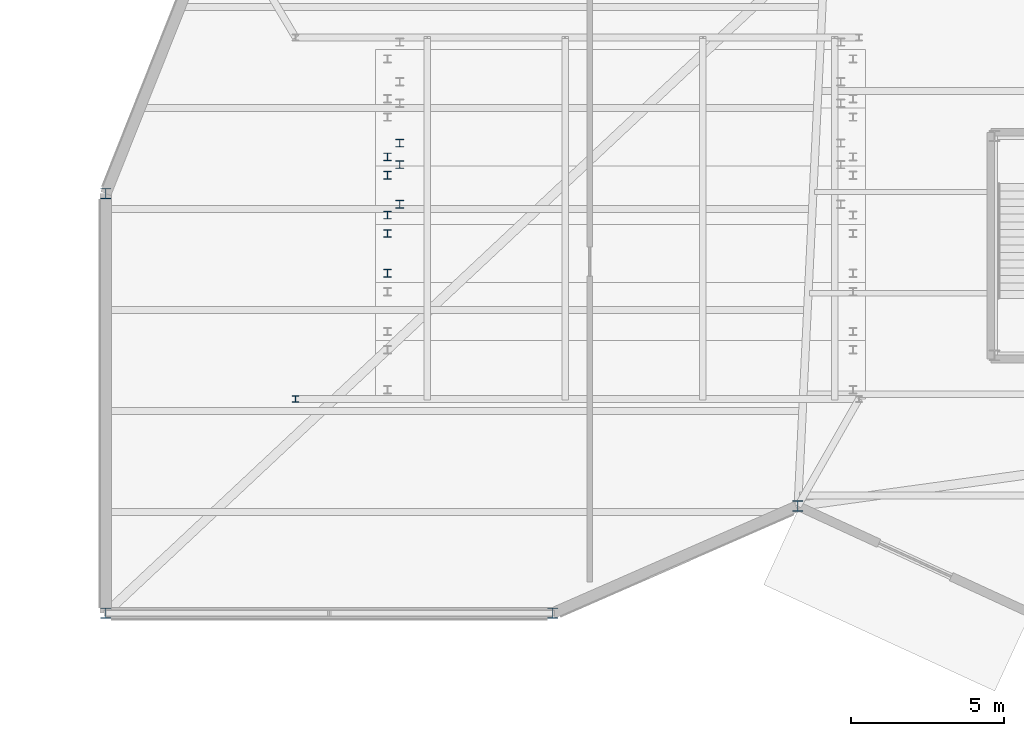
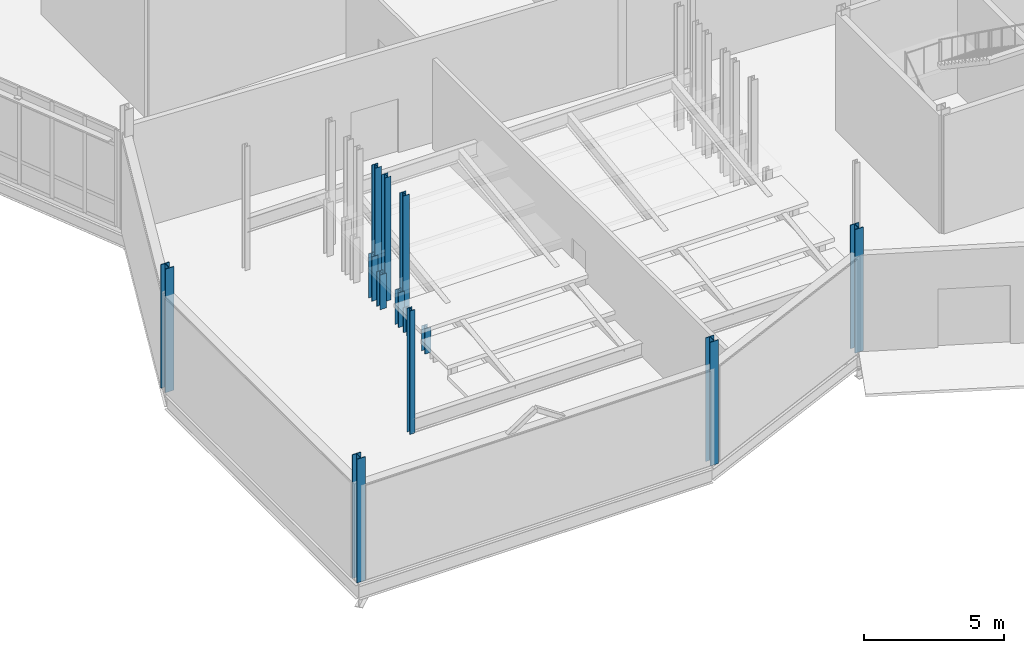
# One storey, part 1 of 113: 13 columns.
"""IFC4 building model written with IfcOpenShell, lengths in metres."""

from ifc_helpers import new_model, si_unit, direction, frame, origin, origin_2d, place, context, subcontext, project, spatial, i_section, extrude, material, material_profile, profile_set, type_object, element, save


model = new_model("IFC4")

# Units and contexts
model_context = context("Model", 3, precision=1e-05, world=origin(), true_north=direction((0.0, 1.0)))
body_context = subcontext(model_context, "Body", "Model", "MODEL_VIEW")
ifc_project = project(units=[si_unit("LENGTHUNIT", "METRE"), si_unit("AREAUNIT", "SQUARE_METRE"), si_unit("VOLUMEUNIT", "CUBIC_METRE"), si_unit("PLANEANGLEUNIT", "RADIAN"), si_unit("MASSUNIT", "GRAM", prefix="KILO")], contexts=[model_context])

# Site, building, storey
site_placement = place(None, origin())
site = spatial("IfcSite", under=ifc_project, at=site_placement, CompositionType="ELEMENT")
building_placement = place(site_placement, origin())
building = spatial("IfcBuilding", under=site, at=building_placement, Name="Tameran Prism Museum", CompositionType="ELEMENT")
storey_placement = place(building_placement, origin())
storey = spatial("IfcBuildingStorey", under=building, at=storey_placement, Name="L00", CompositionType="ELEMENT", Elevation=0.0)

# Columns
ifc_material_1 = material(Name="Steel Grade 300PLUS (300 MPa)", Category="steel")
ifc_material_profile_1 = material_profile(ifc_material_1, i_section(OverallWidth=0.205078125, OverallDepth=0.2099609375, WebThickness=0.00927734375, FlangeThickness=0.01416015625, FilletRadius=0.01025390625, at=origin_2d()))
ifc_profile_set_1 = profile_set([ifc_material_profile_1])
column_type_1 = type_object("IfcColumnType", Name="COL-UC200", PredefinedType="COLUMN", material=ifc_profile_set_1)
column_1_placement = place(storey_placement, frame((6.199951171875, 7.0, 0.0), z_axis=(0.0, 0.0, 1.0), x_axis=(1.0, 0.0, 0.0)))
element("IfcColumn", 1, at=column_1_placement, inside=storey, type_object=column_type_1, Name="Column CA-01 L00", PredefinedType="COLUMN", context=body_context, shape_type="SweptSolid", body=[
    extrude(i_section(OverallWidth=0.205078125, OverallDepth=0.2099609375, WebThickness=0.00927734375, FlangeThickness=0.01416015625, FilletRadius=0.01025390625, at=origin_2d()), origin(), (0.0, 0.0, 1.0), 5.39990234375),
])
ifc_material_2 = material(Name="Steel Grade 300PLUS (300 MPa)", Category="steel")
ifc_material_profile_2 = material_profile(ifc_material_2, i_section(OverallWidth=0.25390625, OverallDepth=0.25390625, WebThickness=0.008544921875, FlangeThickness=0.01416015625, FilletRadius=0.0126953125, at=origin_2d()))
ifc_profile_set_2 = profile_set([ifc_material_profile_2])
column_type_2 = type_object("IfcColumnType", Name="COL-UC250B", PredefinedType="COLUMN", material=ifc_profile_set_2)
for number, where, z_axis, x_axis, name in (
    (2, (9.199951171875, 11.10009765625, 0.0), (0.0, 0.0, 1.0), (1.0, 0.0, 0.0), "Auditorium Tier Riser Column CAT-L0-09"),
    (3, (9.199951171875, 12.39990234375, 0.0), (0.0, 0.0, 1.0), (1.0, 0.0, 0.0), "Auditorium Tier Riser Column CAT-L0-10"),
):
    element("IfcColumn", number, at=place(storey_placement, frame(where, z_axis=z_axis, x_axis=x_axis)), inside=storey, type_object=column_type_2, Name=name, PredefinedType="COLUMN", context=body_context, shape_type="SweptSolid", body=[
        extrude(i_section(OverallWidth=0.25390625, OverallDepth=0.25390625, WebThickness=0.008544921875, FlangeThickness=0.01416015625, FilletRadius=0.0126953125, at=origin_2d()), origin(), (0.0, 0.0, 1.0), 1.094970703125),
    ])
for number, where, z_axis, x_axis, name in (
    (4, (9.199951171875, 13.0, 0.0), (0.0, 0.0, 1.0), (1.0, 0.0, 0.0), "Auditorium Tier Riser Column CAT-L0-13"),
    (5, (9.199951171875, 14.300048828125, 0.0), (0.0, 0.0, 1.0), (1.0, 0.0, 0.0), "Auditorium Tier Riser Column CAT-L0-14"),
):
    element("IfcColumn", number, at=place(storey_placement, frame(where, z_axis=z_axis, x_axis=x_axis)), inside=storey, type_object=column_type_2, Name=name, PredefinedType="COLUMN", context=body_context, shape_type="SweptSolid", body=[
        extrude(i_section(OverallWidth=0.25390625, OverallDepth=0.25390625, WebThickness=0.008544921875, FlangeThickness=0.01416015625, FilletRadius=0.0126953125, at=origin_2d()), origin(), (0.0, 0.0, 1.0), 1.514892578125),
    ])
column_2_placement = place(storey_placement, frame((9.199951171875, 14.89990234375, 0.0), z_axis=(0.0, 0.0, 1.0), x_axis=(1.0, 0.0, 0.0)))
element("IfcColumn", 6, at=column_2_placement, inside=storey, type_object=column_type_2, Name="Auditorium Tier Riser Column CAT-L0-17", PredefinedType="COLUMN", context=body_context, shape_type="SweptSolid", body=[
    extrude(i_section(OverallWidth=0.25390625, OverallDepth=0.25390625, WebThickness=0.008544921875, FlangeThickness=0.01416015625, FilletRadius=0.0126953125, at=origin_2d()), origin(), (0.0, 0.0, 1.0), 1.93505859375),
])
for number, where, z_axis, x_axis, name in (
    (7, (9.60009765625, 13.35009765625, 0.0), (0.0, 0.0, 1.0), (1.0, 0.0, 0.0), "Balcony Subframe L00 Column CAB-L0-25"),
    (8, (9.60009765625, 14.64990234375, 0.0), (0.0, 0.0, 1.0), (1.0, 0.0, 0.0), "Balcony Subframe L00 Column CAB-L0-26"),
    (9, (9.60009765625, 15.35009765625, 0.0), (0.0, 0.0, 1.0), (1.0, 0.0, 0.0), "Balcony Subframe L00 Column CAB-L0-29"),
):
    element("IfcColumn", number, at=place(storey_placement, frame(where, z_axis=z_axis, x_axis=x_axis)), inside=storey, type_object=column_type_2, Name=name, PredefinedType="COLUMN", context=body_context, shape_type="SweptSolid", body=[
        extrude(i_section(OverallWidth=0.25390625, OverallDepth=0.25390625, WebThickness=0.008544921875, FlangeThickness=0.01416015625, FilletRadius=0.0126953125, at=origin_2d()), origin(), (0.0, 0.0, 1.0), 5.39990234375),
    ])
ifc_material_3 = material(Name="Steel Grade 350 (350 MPa)", Category="steel")
ifc_material_profile_3 = material_profile(ifc_material_3, i_section(OverallWidth=0.35009765625, OverallDepth=0.35009765625, WebThickness=0.02001953125, FlangeThickness=0.028076171875, at=origin_2d()))
ifc_profile_set_3 = profile_set([ifc_material_profile_3])
column_type_3 = type_object("IfcColumnType", Name="COL-WC350", PredefinedType="COLUMN", material=ifc_profile_set_3)
for number, where, z_axis, x_axis, name in (
    (10, (0.0, 0.0, 0.0), (0.0, 0.0, 1.0), (1.0, 0.0, 0.0), "Column CV-01 L00"),
    (11, (0.0, 13.699951171875, 0.0), (0.0, 0.0, 1.0), (1.0, 0.0, 0.0), "Column CV-02 L00"),
    (12, (14.60009765625, 0.0, 0.0), (0.0, 0.0, 1.0), (1.0, 0.0, 0.0), "Column CV-11 L00"),
    (13, (22.60009765625, 3.5, 0.0), (0.0, 0.0, 1.0), (1.0, 0.0, 0.0), "Column CV-13 L00"),
):
    element("IfcColumn", number, at=place(storey_placement, frame(where, z_axis=z_axis, x_axis=x_axis)), inside=storey, type_object=column_type_3, Name=name, PredefinedType="COLUMN", context=body_context, shape_type="SweptSolid", body=[
        extrude(i_section(OverallWidth=0.35009765625, OverallDepth=0.35009765625, WebThickness=0.02001953125, FlangeThickness=0.028076171875, at=origin_2d()), origin(), (0.0, 0.0, 1.0), 5.39990234375),
    ])

save(model, "model.ifc")
